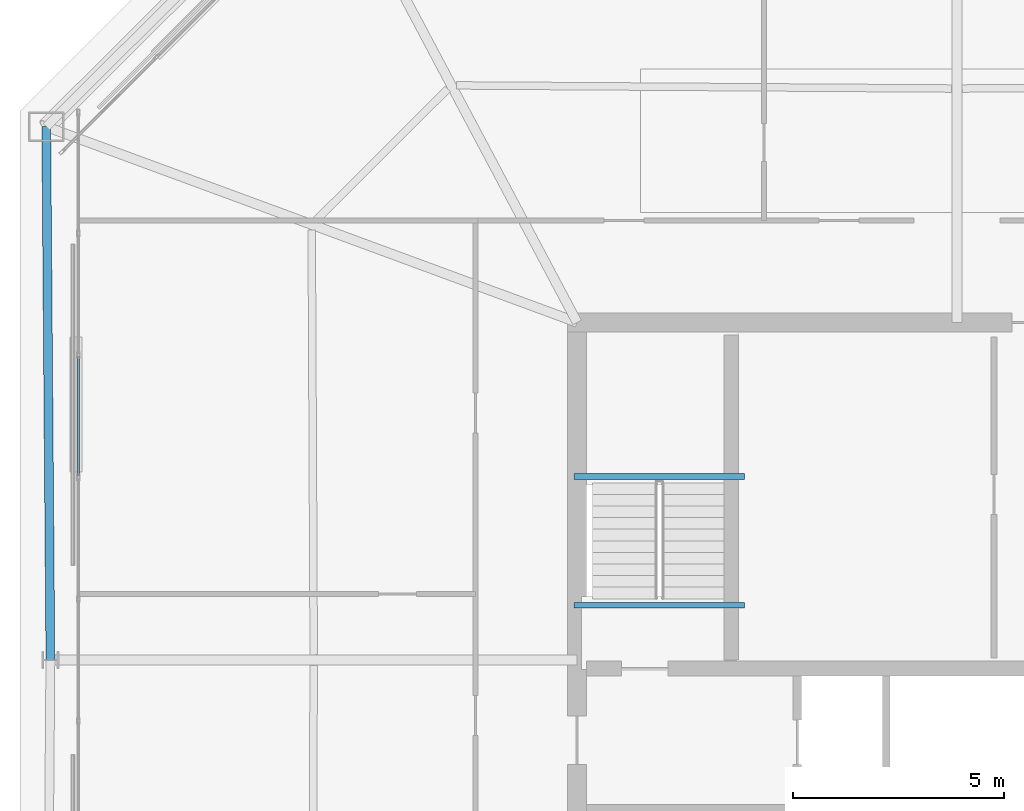
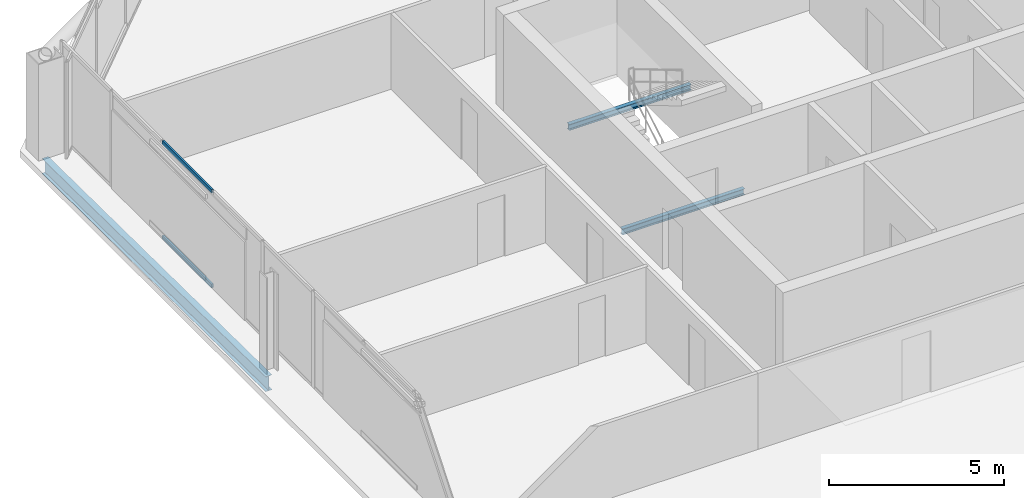
# One storey, part 15 of 39: 3 beams, 2 members, 1 element without a shape of its own.
"""IFC4 building model written with IfcOpenShell, lengths in metres."""

from ifc_helpers import new_model, si_unit, direction, frame, origin, origin_2d, place, context, subcontext, project, spatial, hollow_rectangle, i_section, extrude, material, layer, layer_set, material_profile, profile_set, type_object, element, aggregate, save


model = new_model("IFC4")

# Units and contexts
model_context = context("Model", 3, precision=1e-05, world=origin(), true_north=direction((0.0, 1.0)))
body_context = subcontext(model_context, "Body", "Model", "MODEL_VIEW")
ifc_project = project(units=[si_unit("LENGTHUNIT", "METRE"), si_unit("AREAUNIT", "SQUARE_METRE"), si_unit("VOLUMEUNIT", "CUBIC_METRE"), si_unit("PLANEANGLEUNIT", "RADIAN"), si_unit("MASSUNIT", "GRAM", prefix="KILO")], contexts=[model_context])

# Site, building, storey
site_placement = place(None, origin())
site = spatial("IfcSite", under=ifc_project, at=site_placement, CompositionType="ELEMENT")
building_placement = place(site_placement, origin())
building = spatial("IfcBuilding", under=site, at=building_placement, Name="Caelvoria Tower", CompositionType="ELEMENT")
storey_placement = place(building_placement, frame((0.0, 0.0, 198.60009765625)))
storey = spatial("IfcBuildingStorey", under=building, at=storey_placement, Name="L52", CompositionType="ELEMENT", Elevation=198.60009765625)

# Beams
ifc_material_1 = material(Name="Structural Steel ASTM A992 Gr.50", Category="steel")
ifc_material_profile_1 = material_profile(ifc_material_1, i_section(OverallWidth=0.134033203125, OverallDepth=0.2099609375, WebThickness=0.00634765625, FlangeThickness=0.01025390625, FilletRadius=0.010009765625, at=origin_2d()), Name="Structural Steel ASTM A992 Gr.50")
ifc_profile_set_1 = profile_set([ifc_material_profile_1], Name="W200X31.3 - Structural Steel ASTM A992 Gr.50")
beam_type_1 = type_object("IfcBeamType", Name="Canopy Edge Trim Beam W200X31.3", PredefinedType="BEAM", material=ifc_profile_set_1)
for number, where, z_axis, x_axis, name in (
    (1, (36.929931640625, 36.35009765625, 1.494873046875), (1.0, 0.0, 0.0), (0.0, 1.0, 0.0), "ST-01 Half-Landing Support Beam L52"),
    (2, (36.929931640625, 33.300048828125, -0.30517578125), (1.0, 0.0, 0.0), (0.0, 1.0, 0.0), "ST-01 Floor-Landing Support Beam L52"),
):
    element("IfcBeam", number, at=place(storey_placement, frame(where, z_axis=z_axis, x_axis=x_axis)), inside=storey, type_object=beam_type_1, Name=name, PredefinedType="BEAM", context=body_context, shape_type="SweptSolid", body=[
        extrude(i_section(OverallWidth=0.134033203125, OverallDepth=0.2099609375, WebThickness=0.00634765625, FlangeThickness=0.01025390625, FilletRadius=0.010009765625, at=origin_2d()), origin(), (0.0, 0.0, 1.0), 4.0400390625),
    ])

# Curtain wall, members
ifc_material_2 = material(Name="Anodised Bronze Aluminium and Low-E Glass", Category="aluminium")
ifc_layer = layer(ifc_material_2, 0.175048828125, Name="Anodised Bronze Aluminium and Low-E Glass")
ifc_layer_set = layer_set([ifc_layer], Name="CW System 4 High-Zone Tapered Crystal Facade - Anodised Bronze Aluminium and Low-E Glass")
curtain_wall_type = type_object("IfcCurtainWallType", Name="CW System 4 High-Zone Tapered Crystal Facade", PredefinedType="NOTDEFINED", material=ifc_layer_set)
curtain_wall_placement = place(storey_placement, origin())
curtain_wall = element("IfcCurtainWall", 3, at=curtain_wall_placement, inside=storey, type_object=curtain_wall_type, Name="CW-04 Curtain Wall L52-E6", PredefinedType="NOTDEFINED")
ifc_material_3 = material(Name="Anodised Bronze Architectural Aluminium", Category="aluminium")
ifc_material_profile_2 = material_profile(ifc_material_3, hollow_rectangle(XDim=0.06494140625, YDim=0.1298828125, WallThickness=0.00341796875, at=origin_2d()), Name="Anodised Bronze Architectural Aluminium")
ifc_profile_set_2 = profile_set([ifc_material_profile_2], Name="CW_TRAN_65X130 - Anodised Bronze Architectural Aluminium")
member_type = type_object("IfcMemberType", Name="Curtain Wall Transom 65x130 Bronze Aluminium", PredefinedType="USERDEFINED", material=ifc_profile_set_2)
member_1_placement = place(storey_placement, frame((25.179931640625, 39.189697265625, 0.032470703125), z_axis=(0.0, -1.0, 0.0), x_axis=(1.0, 0.0, 0.0)))
member_1 = element("IfcMember", 4, at=member_1_placement, type_object=member_type, Name="CW-04 transom 3.1", ObjectType="TRANSOM", PredefinedType="USERDEFINED", context=body_context, shape_type="SweptSolid", body=[
    extrude(hollow_rectangle(XDim=0.06494140625, YDim=0.1298828125, WallThickness=0.00341796875, at=origin_2d()), origin(), (0.0, 0.0, 1.0), 2.823974609375),
])
member_2_placement = place(storey_placement, frame((25.179931640625, 39.189697265625, 3.34228515625), z_axis=(0.0, -1.0, 0.0), x_axis=(1.0, 0.0, 0.0)))
member_2 = element("IfcMember", 5, at=member_2_placement, type_object=member_type, Name="CW-04 transom 3.2", ObjectType="TRANSOM", PredefinedType="USERDEFINED", context=body_context, shape_type="SweptSolid", body=[
    extrude(hollow_rectangle(XDim=0.06494140625, YDim=0.1298828125, WallThickness=0.00341796875, at=origin_2d()), origin(), (0.0, 0.0, 1.0), 2.823974609375),
])
aggregate(curtain_wall, [member_1, member_2])

# Beam
ifc_material_profile_3 = material_profile(ifc_material_1, i_section(OverallWidth=0.208984375, OverallDepth=0.532958984375, WebThickness=0.01025390625, FlangeThickness=0.015625, FilletRadius=0.01611328125, at=origin_2d()), Name="Structural Steel ASTM A992 Gr.50")
ifc_profile_set_3 = profile_set([ifc_material_profile_3], Name="W530X92 - Structural Steel ASTM A992 Gr.50")
beam_type_2 = type_object("IfcBeamType", Name="Upper Zone Spandrel W530X92", PredefinedType="BEAM", material=ifc_profile_set_3)
beam_placement = place(storey_placement, frame((24.42138671875, 44.63623046875, -0.49169921875), z_axis=(0.007805318856, -0.999969538035, 0.0), x_axis=(0.999969538035, 0.007805318856, 0.0)))
element("IfcBeam", 6, at=beam_placement, inside=storey, type_object=beam_type_2, Name="Perimeter Spandrel Girder L52-09", PredefinedType="BEAM", context=body_context, shape_type="SweptSolid", body=[
    extrude(i_section(OverallWidth=0.208984375, OverallDepth=0.532958984375, WebThickness=0.01025390625, FlangeThickness=0.015625, FilletRadius=0.01611328125, at=origin_2d()), origin(), (0.0, 0.0, 1.0), 12.63671875),
])

save(model, "model.ifc")
